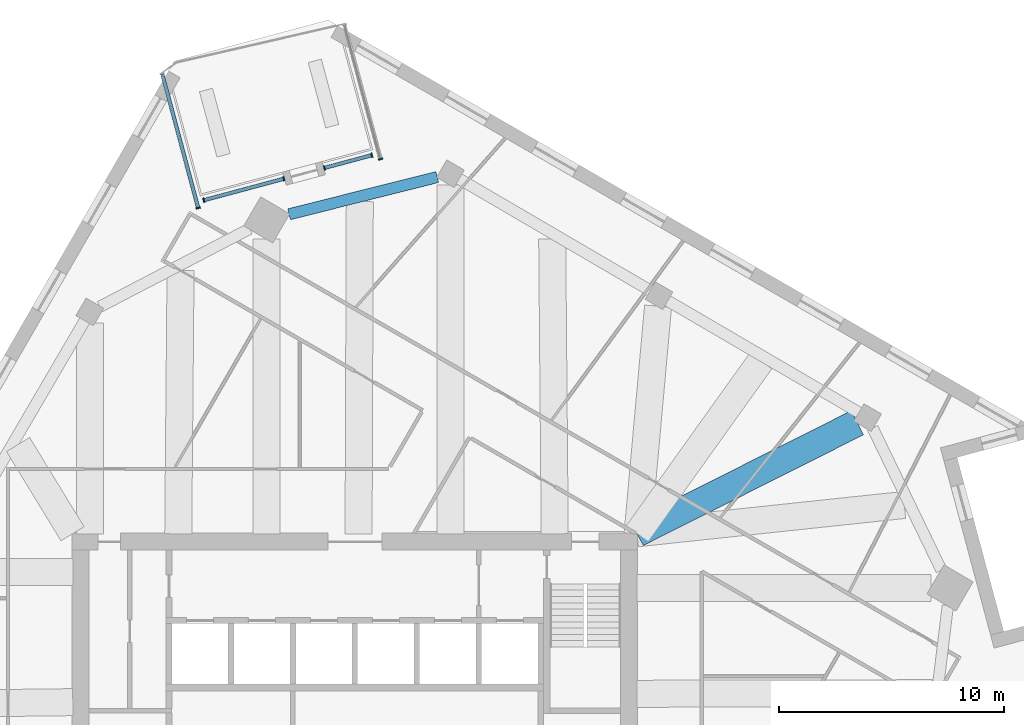
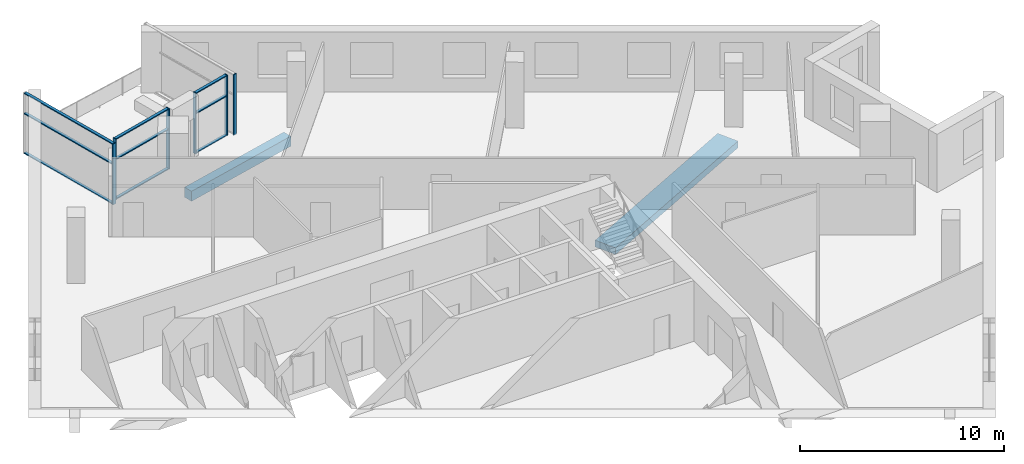
# One storey, part 2 of 13: 15 members, 2 beams, 4 elements without a shape of their own.
"""IFC4 building model written with IfcOpenShell, lengths in metres."""

from ifc_helpers import new_model, si_unit, direction, frame, origin, origin_2d, place, context, subcontext, project, spatial, rectangle, extrude, material, material_profile, profile_set, type_object, element, aggregate, save


model = new_model("IFC4")

# Units and contexts
model_context = context("Model", 3, precision=1e-05, world=origin(), true_north=direction((0.0, 1.0)))
body_context = subcontext(model_context, "Body", "Model", "MODEL_VIEW")
ifc_project = project(units=[si_unit("LENGTHUNIT", "METRE"), si_unit("AREAUNIT", "SQUARE_METRE"), si_unit("VOLUMEUNIT", "CUBIC_METRE"), si_unit("PLANEANGLEUNIT", "RADIAN"), si_unit("MASSUNIT", "GRAM", prefix="KILO")], contexts=[model_context])

# Site, building, storey
site_placement = place(None, origin())
site = spatial("IfcSite", under=ifc_project, at=site_placement, CompositionType="ELEMENT")
building_placement = place(site_placement, origin())
building = spatial("IfcBuilding", under=site, at=building_placement, Name="Dilmun Exchange Tower", CompositionType="ELEMENT")
storey_placement = place(building_placement, frame((0.0, 0.0, 262.89990234375)))
storey = spatial("IfcBuildingStorey", under=building, at=storey_placement, Name="L62", CompositionType="ELEMENT", Elevation=262.89990234375)

# Curtain wall, member
ifc_material_1 = material(Name="Anodised aluminium and clear glass", Category="aluminium")
curtain_wall_type = type_object("IfcCurtainWallType", Name="Garden corner glazing", PredefinedType="NOTDEFINED", material=ifc_material_1)
curtain_wall_1_placement = place(storey_placement, origin())
curtain_wall_1 = element("IfcCurtainWall", 1, at=curtain_wall_1_placement, inside=storey, type_object=curtain_wall_type, Name="Garden corner glazing run GC1.1", PredefinedType="NOTDEFINED")
ifc_material_2 = material(Name="Anodised aluminium", Category="aluminium")
ifc_material_profile_1 = material_profile(ifc_material_2, rectangle(XDim=0.199951171875, YDim=0.06005859375, at=origin_2d()), Name="AL 60x200")
ifc_profile_set_1 = profile_set([ifc_material_profile_1], Name="Anodised aluminium")
member_type_1 = type_object("IfcMemberType", Name="Garden corner glazing mullion 60 x 200", PredefinedType="MULLION", material=ifc_profile_set_1)
member_1_placement = place(storey_placement, frame((1.136962890625, 29.15380859375, 0.0), z_axis=(0.0, 0.0, 1.0), x_axis=(0.965925756145, 0.258819306883, 0.0)))
member_1 = element("IfcMember", 2, at=member_1_placement, type_object=member_type_1, Name="GC1.1 mullion 2", PredefinedType="MULLION", context=body_context, shape_type="SweptSolid", body=[
    extrude(rectangle(XDim=0.199951171875, YDim=0.06005859375, at=origin_2d()), origin(), (0.0, 0.0, 1.0), 3.64013671875),
])
aggregate(curtain_wall_1, [member_1])

# Curtain wall, members
curtain_wall_2_placement = place(storey_placement, origin())
curtain_wall_2 = element("IfcCurtainWall", 3, at=curtain_wall_2_placement, inside=storey, type_object=curtain_wall_type, Name="Garden corner glazing run GC2.1", PredefinedType="NOTDEFINED")
member_2_placement = place(storey_placement, frame((0.74853515625, 29.3291015625, 0.0), z_axis=(0.0, 0.0, 1.0), x_axis=(0.258810497317, -0.965928116621, 0.0)))
member_2 = element("IfcMember", 4, at=member_2_placement, type_object=member_type_1, Name="GC2.1 mullion 1", PredefinedType="MULLION", context=body_context, shape_type="SweptSolid", body=[
    extrude(rectangle(XDim=0.199951171875, YDim=0.06005859375, at=origin_2d()), origin(), (0.0, 0.0, 1.0), 3.64013671875),
])
member_3_placement = place(storey_placement, frame((-1.3564453125, 28.76513671875, 0.0), z_axis=(0.0, 0.0, 1.0), x_axis=(0.258810497317, -0.965928116621, 0.0)))
member_3 = element("IfcMember", 5, at=member_3_placement, type_object=member_type_1, Name="GC2.1 mullion 2", PredefinedType="MULLION", context=body_context, shape_type="SweptSolid", body=[
    extrude(rectangle(XDim=0.199951171875, YDim=0.06005859375, at=origin_2d()), origin(), (0.0, 0.0, 1.0), 3.64013671875),
])

curtain_wall_3_placement = place(storey_placement, origin())
curtain_wall_3 = element("IfcCurtainWall", 6, at=curtain_wall_3_placement, inside=storey, type_object=curtain_wall_type, Name="Garden corner glazing run GC2.3", PredefinedType="NOTDEFINED")
member_4_placement = place(storey_placement, frame((-3.153076171875, 28.28369140625, 0.0), z_axis=(0.0, 0.0, 1.0), x_axis=(0.258812731, -0.965927518126, 0.0)))
member_4 = element("IfcMember", 7, at=member_4_placement, type_object=member_type_1, Name="GC2.3 mullion 1", PredefinedType="MULLION", context=body_context, shape_type="SweptSolid", body=[
    extrude(rectangle(XDim=0.199951171875, YDim=0.06005859375, at=origin_2d()), origin(), (0.0, 0.0, 1.0), 3.64013671875),
])
member_5_placement = place(storey_placement, frame((-6.706787109375, 27.33154296875, 0.0), z_axis=(0.0, 0.0, 1.0), x_axis=(0.258812731, -0.965927518126, 0.0)))
member_5 = element("IfcMember", 8, at=member_5_placement, type_object=member_type_1, Name="GC2.3 mullion 2", PredefinedType="MULLION", context=body_context, shape_type="SweptSolid", body=[
    extrude(rectangle(XDim=0.199951171875, YDim=0.06005859375, at=origin_2d()), origin(), (0.0, 0.0, 1.0), 3.64013671875),
])

# Curtain wall, member
curtain_wall_4_placement = place(storey_placement, origin())
curtain_wall_4 = element("IfcCurtainWall", 9, at=curtain_wall_4_placement, inside=storey, type_object=curtain_wall_type, Name="Garden corner glazing run GC3.1", PredefinedType="NOTDEFINED")
member_6_placement = place(storey_placement, frame((-6.95556640625, 26.9853515625, 0.0), z_axis=(0.0, 0.0, 1.0), x_axis=(-0.965925756145, -0.258819306883, 0.0)))
member_6 = element("IfcMember", 10, at=member_6_placement, type_object=member_type_1, Name="GC3.1 mullion 1", PredefinedType="MULLION", context=body_context, shape_type="SweptSolid", body=[
    extrude(rectangle(XDim=0.199951171875, YDim=0.06005859375, at=origin_2d()), origin(), (0.0, 0.0, 1.0), 3.64013671875),
])

# Member
ifc_material_profile_2 = material_profile(ifc_material_2, rectangle(XDim=0.159912109375, YDim=0.06005859375, at=origin_2d()), Name="AL 60x160")
ifc_profile_set_2 = profile_set([ifc_material_profile_2], Name="Anodised aluminium")
member_type_2 = type_object("IfcMemberType", Name="Garden corner glazing transom 60 x 160", PredefinedType="USERDEFINED", material=ifc_profile_set_2)
member_7_placement = place(storey_placement, frame((0.719482421875, 29.3212890625, 0.030029296875), z_axis=(-0.965939824014, -0.258766799229, 0.0), x_axis=(0.258766799229, -0.965939824014, 0.0)))
member_7 = element("IfcMember", 11, at=member_7_placement, type_object=member_type_2, Name="GC2.1 transom 1.1", ObjectType="TRANSOM", PredefinedType="USERDEFINED", context=body_context, shape_type="SweptSolid", body=[
    extrude(rectangle(XDim=0.159912109375, YDim=0.06005859375, at=origin_2d()), origin(), (0.0, 0.0, 1.0), 2.119140625),
])

member_8_placement = place(storey_placement, frame((0.719482421875, 29.3212890625, 2.400146484375), z_axis=(-0.965939824014, -0.258766799229, 0.0), x_axis=(0.258766799229, -0.965939824014, 0.0)))
member_8 = element("IfcMember", 12, at=member_8_placement, type_object=member_type_2, Name="GC2.1 transom 1.2", ObjectType="TRANSOM", PredefinedType="USERDEFINED", context=body_context, shape_type="SweptSolid", body=[
    extrude(rectangle(XDim=0.159912109375, YDim=0.06005859375, at=origin_2d()), origin(), (0.0, 0.0, 1.0), 2.119140625),
])

member_9_placement = place(storey_placement, frame((0.719482421875, 29.3212890625, 3.610107421875), z_axis=(-0.965939824014, -0.258766799229, 0.0), x_axis=(0.258766799229, -0.965939824014, 0.0)))
member_9 = element("IfcMember", 13, at=member_9_placement, type_object=member_type_2, Name="GC2.1 transom 1.3", ObjectType="TRANSOM", PredefinedType="USERDEFINED", context=body_context, shape_type="SweptSolid", body=[
    extrude(rectangle(XDim=0.159912109375, YDim=0.06005859375, at=origin_2d()), origin(), (0.0, 0.0, 1.0), 2.119140625),
])

aggregate(curtain_wall_2, [member_2, member_3, member_7, member_8, member_9])

member_10_placement = place(storey_placement, frame((-3.18212890625, 28.27587890625, 0.030029296875), z_axis=(-0.965934200247, -0.258787791043, 0.0), x_axis=(0.258787791043, -0.965934200247, 0.0)))
member_10 = element("IfcMember", 14, at=member_10_placement, type_object=member_type_2, Name="GC2.3 transom 1.1", ObjectType="TRANSOM", PredefinedType="USERDEFINED", context=body_context, shape_type="SweptSolid", body=[
    extrude(rectangle(XDim=0.159912109375, YDim=0.06005859375, at=origin_2d()), origin(), (0.0, 0.0, 1.0), 3.618896484375),
])

member_11_placement = place(storey_placement, frame((-3.18212890625, 28.27587890625, 2.400146484375), z_axis=(-0.965934200247, -0.258787791043, 0.0), x_axis=(0.258787791043, -0.965934200247, 0.0)))
member_11 = element("IfcMember", 15, at=member_11_placement, type_object=member_type_2, Name="GC2.3 transom 1.2", ObjectType="TRANSOM", PredefinedType="USERDEFINED", context=body_context, shape_type="SweptSolid", body=[
    extrude(rectangle(XDim=0.159912109375, YDim=0.06005859375, at=origin_2d()), origin(), (0.0, 0.0, 1.0), 3.618896484375),
])

member_12_placement = place(storey_placement, frame((-3.18212890625, 28.27587890625, 3.610107421875), z_axis=(-0.965934200247, -0.258787791043, 0.0), x_axis=(0.258787791043, -0.965934200247, 0.0)))
member_12 = element("IfcMember", 16, at=member_12_placement, type_object=member_type_2, Name="GC2.3 transom 1.3", ObjectType="TRANSOM", PredefinedType="USERDEFINED", context=body_context, shape_type="SweptSolid", body=[
    extrude(rectangle(XDim=0.159912109375, YDim=0.06005859375, at=origin_2d()), origin(), (0.0, 0.0, 1.0), 3.618896484375),
])

aggregate(curtain_wall_3, [member_4, member_5, member_10, member_11, member_12])

member_13_placement = place(storey_placement, frame((-6.96337890625, 27.014404296875, 0.030029296875), z_axis=(-0.258825719922, 0.965924037752, 0.0), x_axis=(-0.965924037752, -0.258825719922, 0.0)))
member_13 = element("IfcMember", 17, at=member_13_placement, type_object=member_type_2, Name="GC3.1 transom 1.1", ObjectType="TRANSOM", PredefinedType="USERDEFINED", context=body_context, shape_type="SweptSolid", body=[
    extrude(rectangle(XDim=0.159912109375, YDim=0.06005859375, at=origin_2d()), origin(), (0.0, 0.0, 1.0), 6.12646484375),
])

member_14_placement = place(storey_placement, frame((-6.96337890625, 27.014404296875, 2.400146484375), z_axis=(-0.258825719922, 0.965924037752, 0.0), x_axis=(-0.965924037752, -0.258825719922, 0.0)))
member_14 = element("IfcMember", 18, at=member_14_placement, type_object=member_type_2, Name="GC3.1 transom 1.2", ObjectType="TRANSOM", PredefinedType="USERDEFINED", context=body_context, shape_type="SweptSolid", body=[
    extrude(rectangle(XDim=0.159912109375, YDim=0.06005859375, at=origin_2d()), origin(), (0.0, 0.0, 1.0), 6.12646484375),
])

member_15_placement = place(storey_placement, frame((-6.96337890625, 27.014404296875, 3.610107421875), z_axis=(-0.258825719922, 0.965924037752, 0.0), x_axis=(-0.965924037752, -0.258825719922, 0.0)))
member_15 = element("IfcMember", 19, at=member_15_placement, type_object=member_type_2, Name="GC3.1 transom 1.3", ObjectType="TRANSOM", PredefinedType="USERDEFINED", context=body_context, shape_type="SweptSolid", body=[
    extrude(rectangle(XDim=0.159912109375, YDim=0.06005859375, at=origin_2d()), origin(), (0.0, 0.0, 1.0), 6.12646484375),
])

aggregate(curtain_wall_4, [member_6, member_13, member_14, member_15])

# Beams
ifc_material_3 = material(Name="Concrete C40/50", Category="concrete")
ifc_material_profile_3 = material_profile(ifc_material_3, rectangle(XDim=1.199951171875, YDim=0.39990234375, at=origin_2d()), Name="1200 x 400")
ifc_profile_set_3 = profile_set([ifc_material_profile_3], Name="Concrete C40/50")
beam_type_1 = type_object("IfcBeamType", Name="RC band beam 1200 x 400 C40/50", PredefinedType="BEAM", material=ifc_profile_set_3)
beam_1_placement = place(storey_placement, frame((22.302734375, 17.453125, -0.659912109375), z_axis=(-0.893443377394, -0.449175835716, 0.0), x_axis=(0.449175835716, -0.893443377394, 0.0)))
element("IfcBeam", 20, at=beam_1_placement, inside=storey, type_object=beam_type_1, Name="Band beam 14", PredefinedType="BEAM", context=body_context, shape_type="SweptSolid", body=[
    extrude(rectangle(XDim=1.199951171875, YDim=0.39990234375, at=origin_2d()), origin(), (0.0, 0.0, 1.0), 10.94287109375),
])
ifc_material_profile_4 = material_profile(ifc_material_3, rectangle(XDim=0.5, YDim=0.60009765625, at=origin_2d()), Name="500 x 600")
ifc_profile_set_4 = profile_set([ifc_material_profile_4], Name="Concrete C40/50")
beam_type_2 = type_object("IfcBeamType", Name="RC ring beam 500 x 600 C40/50", PredefinedType="SPANDREL", material=ifc_profile_set_4)
beam_2_placement = place(storey_placement, frame((3.6552734375, 28.359130859375, -0.659912109375), z_axis=(-0.969853854997, -0.243687299522, 0.0), x_axis=(0.243687299522, -0.969853854997, 0.0)))
element("IfcBeam", 21, at=beam_2_placement, inside=storey, type_object=beam_type_2, Name="Ring beam 16", PredefinedType="SPANDREL", context=body_context, shape_type="SweptSolid", body=[
    extrude(rectangle(XDim=0.5, YDim=0.60009765625, at=origin_2d()), origin(), (0.0, 0.0, 1.0), 6.78271484375),
])

save(model, "model.ifc")
